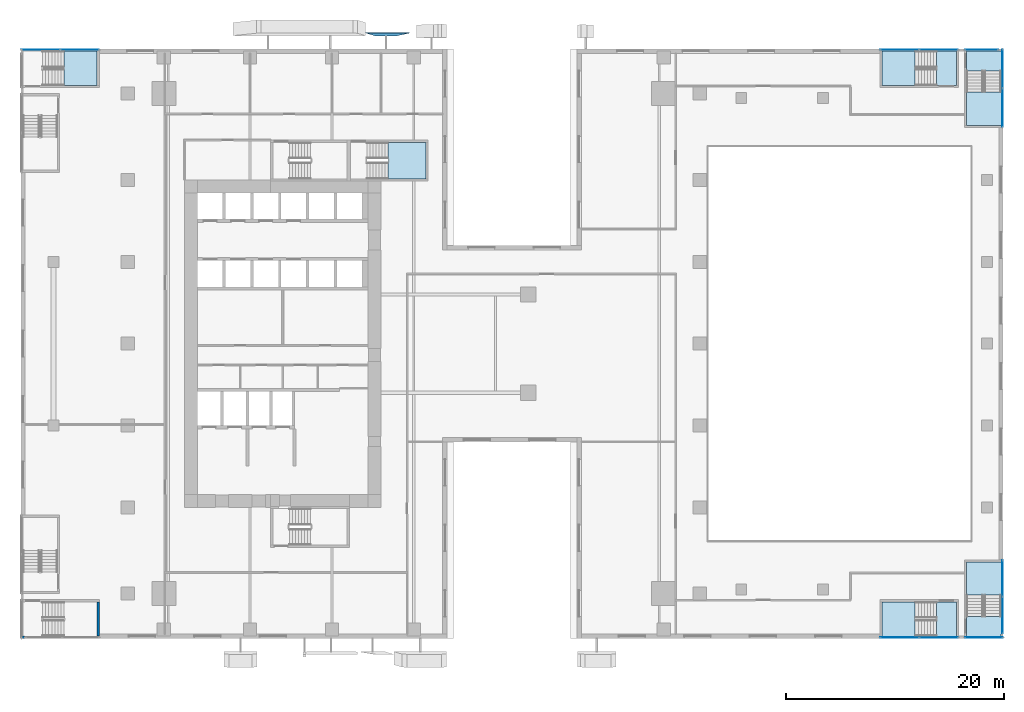
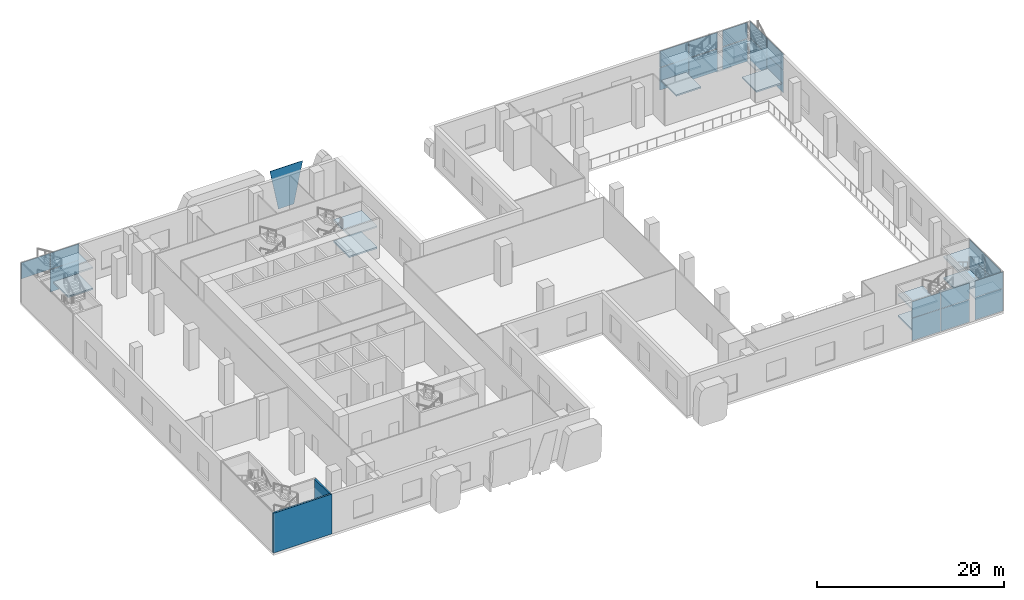
# One storey, part 9 of 23: 24 plates, 16 slabs, 2 walls, 13 elements without a shape of their own.
"""IFC4 building model written with IfcOpenShell, lengths in metres."""

from ifc_helpers import new_model, si_unit, direction, frame, frame_2d, origin, origin_2d, place, context, subcontext, project, spatial, polyline, rectangle, outline, extrude, source, transform, mapped, material, layer, layer_set, type_object, element, aggregate, save


model = new_model("IFC4")

# Units and contexts
model_context = context("Model", 3, precision=1e-05, world=origin(), true_north=direction((0.0, 1.0)))
body_context = subcontext(model_context, "Body", "Model", "MODEL_VIEW")
ifc_project = project(units=[si_unit("LENGTHUNIT", "METRE"), si_unit("AREAUNIT", "SQUARE_METRE"), si_unit("VOLUMEUNIT", "CUBIC_METRE"), si_unit("PLANEANGLEUNIT", "RADIAN"), si_unit("MASSUNIT", "GRAM", prefix="KILO")], contexts=[model_context])

# Site, building, storey
site_placement = place(None, origin())
site = spatial("IfcSite", under=ifc_project, at=site_placement, CompositionType="ELEMENT")
building_placement = place(site_placement, origin())
building = spatial("IfcBuilding", under=site, at=building_placement, Name="Khomas Fold Tower", CompositionType="ELEMENT")
storey_placement = place(building_placement, frame((0.0, 0.0, 13.0)))
storey = spatial("IfcBuildingStorey", under=building, at=storey_placement, Name="L02", CompositionType="ELEMENT", Elevation=13.0)

# Plate
ifc_material_1 = material(Name="Clear laminated glass", Category="glass")
ifc_layer_1 = layer(ifc_material_1, 0.0400390625)
ifc_layer_set_1 = layer_set([ifc_layer_1], Name="Clear laminated glass")
plate_type_1 = type_object("IfcPlateType", Name="SK-Clear laminated glass leaf", PredefinedType="SHEET", material=ifc_layer_set_1)
plate_1_placement = place(storey_placement, frame((22.602294921875, 55.452880859375, 5.050048828125), z_axis=(0.0, -0.998629673312, 0.052333312346), x_axis=(1.0, 0.0, 0.0)))
element("IfcPlate", 1, at=plate_1_placement, inside=storey, type_object=plate_type_1, Name="OUTER SKIN glass L02 NG102-1", PredefinedType="SHEET", context=body_context, shape_type="SweptSolid", body=[
    extrude(outline(polyline([(0.0, 0.0), (4.030517578125, 0.0), (2.7978515625, -5.056978540780835), (0.892578125, -5.056978540780835), (0.0, 0.0)])), origin(), (0.0, 0.0, -1.0), 0.0400390625),
])

# Curtain wall, plates
ifc_material_2 = material(Name="Aluminium framed double glazing", Category="aluminium")
curtain_wall_type = type_object("IfcCurtainWallType", Name="Shopfront glazing PD-CW", PredefinedType="NOTDEFINED", material=ifc_material_2)
curtain_wall_1_placement = place(storey_placement, origin())
curtain_wall_1 = element("IfcCurtainWall", 2, at=curtain_wall_1_placement, inside=storey, type_object=curtain_wall_type, Name="Podium stair-tower glazing", PredefinedType="NOTDEFINED")
ifc_material_3 = material(Name="Double glazed unit")
ifc_layer_2 = layer(ifc_material_3, 0.031982421875)
ifc_layer_set_2 = layer_set([ifc_layer_2], Name="Double glazed unit")
plate_type_2 = type_object("IfcPlateType", Name="Shopfront glazing panel PD-CW-P", PredefinedType="CURTAIN_PANEL", material=ifc_layer_set_2)
shared_shape_1 = source(origin(), body_context, "Body", "SweptSolid", [
    extrude(rectangle(XDim=3.0400390625, YDim=0.031982421875, at=origin_2d()), origin(), (0.0, 0.0, 1.0), 2.909912109375),
])
plate_2_placement = place(storey_placement, frame((79.02001953125, 53.919921875, 0.06005859375), z_axis=(0.0, 0.0, 1.0), x_axis=(-1.0, 0.0, 0.0)))
plate_2 = element("IfcPlate", 3, at=plate_2_placement, type_object=plate_type_2, Name="PD-CW panel 1.1", PredefinedType="CURTAIN_PANEL", context=body_context, shape_type="MappedRepresentation", body=[
    mapped(shared_shape_1, transform((0.0, 0.0, 0.0))),
])
shared_shape_2 = source(origin(), body_context, "Body", "SweptSolid", [
    extrude(rectangle(XDim=3.0400390625, YDim=0.031982421875, at=origin_2d()), origin(), (0.0, 0.0, 1.0), 2.110107421875),
])
plate_3_placement = place(storey_placement, frame((79.02001953125, 53.919921875, 3.02978515625), z_axis=(0.0, 0.0, 1.0), x_axis=(-1.0, 0.0, 0.0)))
plate_3 = element("IfcPlate", 4, at=plate_3_placement, type_object=plate_type_2, Name="PD-CW panel 1.2", PredefinedType="CURTAIN_PANEL", context=body_context, shape_type="MappedRepresentation", body=[
    mapped(shared_shape_2, transform((0.0, 0.0, 0.0))),
])
aggregate(curtain_wall_1, [plate_2, plate_3])

curtain_wall_2_placement = place(storey_placement, origin())
curtain_wall_2 = element("IfcCurtainWall", 5, at=curtain_wall_2_placement, inside=storey, type_object=curtain_wall_type, Name="Podium stair-tower glazing", PredefinedType="NOTDEFINED")
shared_shape_3 = source(origin(), body_context, "Body", "SweptSolid", [
    extrude(rectangle(XDim=3.52001953125, YDim=0.031982421875, at=origin_2d()), origin(), (0.0, 0.0, 1.0), 2.909912109375),
])
plate_4_placement = place(storey_placement, frame((71.510009765625, 0.080078125, 0.06005859375), z_axis=(0.0, 0.0, 1.0), x_axis=(1.0, 0.0, 0.0)))
plate_4 = element("IfcPlate", 6, at=plate_4_placement, type_object=plate_type_2, Name="PD-CW panel 1.1", PredefinedType="CURTAIN_PANEL", context=body_context, shape_type="MappedRepresentation", body=[
    mapped(shared_shape_3, transform((0.0, 0.0, 0.0))),
])
plate_5_placement = place(storey_placement, frame((75.090087890625, 0.080078125, 0.06005859375), z_axis=(0.0, 0.0, 1.0), x_axis=(1.0, 0.0, 0.0)))
plate_5 = element("IfcPlate", 7, at=plate_5_placement, type_object=plate_type_2, Name="PD-CW panel 2.1", PredefinedType="CURTAIN_PANEL", context=body_context, shape_type="MappedRepresentation", body=[
    mapped(shared_shape_3, transform((0.0, 0.0, 0.0))),
])

curtain_wall_3_placement = place(storey_placement, origin())
curtain_wall_3 = element("IfcCurtainWall", 8, at=curtain_wall_3_placement, inside=storey, type_object=curtain_wall_type, Name="Podium stair-tower glazing", PredefinedType="NOTDEFINED")
plate_6_placement = place(storey_placement, frame((75.090087890625, 53.919921875, 0.06005859375), z_axis=(0.0, 0.0, 1.0), x_axis=(-1.0, 0.0, 0.0)))
plate_6 = element("IfcPlate", 9, at=plate_6_placement, type_object=plate_type_2, Name="PD-CW panel 1.1", PredefinedType="CURTAIN_PANEL", context=body_context, shape_type="MappedRepresentation", body=[
    mapped(shared_shape_3, transform((0.0, 0.0, 0.0))),
])
plate_7_placement = place(storey_placement, frame((71.510009765625, 53.919921875, 0.06005859375), z_axis=(0.0, 0.0, 1.0), x_axis=(-1.0, 0.0, 0.0)))
plate_7 = element("IfcPlate", 10, at=plate_7_placement, type_object=plate_type_2, Name="PD-CW panel 2.1", PredefinedType="CURTAIN_PANEL", context=body_context, shape_type="MappedRepresentation", body=[
    mapped(shared_shape_3, transform((0.0, 0.0, 0.0))),
])

# Plate
shared_shape_4 = source(origin(), body_context, "Body", "SweptSolid", [
    extrude(rectangle(XDim=3.52001953125, YDim=0.031982421875, at=origin_2d()), origin(), (0.0, 0.0, 1.0), 2.110107421875),
])
plate_8_placement = place(storey_placement, frame((71.510009765625, 0.080078125, 3.02978515625), z_axis=(0.0, 0.0, 1.0), x_axis=(1.0, 0.0, 0.0)))
plate_8 = element("IfcPlate", 11, at=plate_8_placement, type_object=plate_type_2, Name="PD-CW panel 1.2", PredefinedType="CURTAIN_PANEL", context=body_context, shape_type="MappedRepresentation", body=[
    mapped(shared_shape_4, transform((0.0, 0.0, 0.0))),
])

plate_9_placement = place(storey_placement, frame((75.090087890625, 0.080078125, 3.02978515625), z_axis=(0.0, 0.0, 1.0), x_axis=(1.0, 0.0, 0.0)))
plate_9 = element("IfcPlate", 12, at=plate_9_placement, type_object=plate_type_2, Name="PD-CW panel 2.2", PredefinedType="CURTAIN_PANEL", context=body_context, shape_type="MappedRepresentation", body=[
    mapped(shared_shape_4, transform((0.0, 0.0, 0.0))),
])

aggregate(curtain_wall_2, [plate_4, plate_8, plate_5, plate_9])

plate_10_placement = place(storey_placement, frame((75.090087890625, 53.919921875, 3.02978515625), z_axis=(0.0, 0.0, 1.0), x_axis=(-1.0, 0.0, 0.0)))
plate_10 = element("IfcPlate", 13, at=plate_10_placement, type_object=plate_type_2, Name="PD-CW panel 1.2", PredefinedType="CURTAIN_PANEL", context=body_context, shape_type="MappedRepresentation", body=[
    mapped(shared_shape_4, transform((0.0, 0.0, 0.0))),
])

plate_11_placement = place(storey_placement, frame((71.510009765625, 53.919921875, 3.02978515625), z_axis=(0.0, 0.0, 1.0), x_axis=(-1.0, 0.0, 0.0)))
plate_11 = element("IfcPlate", 14, at=plate_11_placement, type_object=plate_type_2, Name="PD-CW panel 2.2", PredefinedType="CURTAIN_PANEL", context=body_context, shape_type="MappedRepresentation", body=[
    mapped(shared_shape_4, transform((0.0, 0.0, 0.0))),
])

aggregate(curtain_wall_3, [plate_6, plate_10, plate_7, plate_11])

# Curtain wall, plates
curtain_wall_4_placement = place(storey_placement, origin())
curtain_wall_4 = element("IfcCurtainWall", 15, at=curtain_wall_4_placement, inside=storey, type_object=curtain_wall_type, Name="Podium stair-tower glazing", PredefinedType="NOTDEFINED")
shared_shape_5 = source(origin(), body_context, "Body", "SweptSolid", [
    extrude(rectangle(XDim=3.43994140625, YDim=0.031982421875, at=origin_2d()), origin(), (0.0, 0.0, 1.0), 2.909912109375),
])
plate_12_placement = place(storey_placement, frame((79.219970703125, 0.080078125, 0.06005859375), z_axis=(0.0, 0.0, 1.0), x_axis=(1.0, 0.0, 0.0)))
plate_12 = element("IfcPlate", 16, at=plate_12_placement, type_object=plate_type_2, Name="PD-CW panel 1.1", PredefinedType="CURTAIN_PANEL", context=body_context, shape_type="MappedRepresentation", body=[
    mapped(shared_shape_5, transform((0.0, 0.0, 0.0))),
])
shared_shape_6 = source(origin(), body_context, "Body", "SweptSolid", [
    extrude(rectangle(XDim=3.43994140625, YDim=0.031982421875, at=origin_2d()), origin(), (0.0, 0.0, 1.0), 2.110107421875),
])
plate_13_placement = place(storey_placement, frame((79.219970703125, 0.080078125, 3.02978515625), z_axis=(0.0, 0.0, 1.0), x_axis=(1.0, 0.0, 0.0)))
plate_13 = element("IfcPlate", 17, at=plate_13_placement, type_object=plate_type_2, Name="PD-CW panel 1.2", PredefinedType="CURTAIN_PANEL", context=body_context, shape_type="MappedRepresentation", body=[
    mapped(shared_shape_6, transform((0.0, 0.0, 0.0))),
])
aggregate(curtain_wall_4, [plate_12, plate_13])

curtain_wall_5_placement = place(storey_placement, origin())
curtain_wall_5 = element("IfcCurtainWall", 18, at=curtain_wall_5_placement, inside=storey, type_object=curtain_wall_type, Name="Podium stair-tower glazing", PredefinedType="NOTDEFINED")
shared_shape_7 = source(origin(), body_context, "Body", "SweptSolid", [
    extrude(rectangle(XDim=3.31494140625, YDim=0.031982421875, at=origin_2d()), origin(), (0.0, 0.0, 1.0), 2.909912109375),
])
plate_14_placement = place(storey_placement, frame((80.919921875, 2.117431640625, 0.06005859375), z_axis=(0.0, 0.0, 1.0), x_axis=(0.0, 1.0, 0.0)))
plate_14 = element("IfcPlate", 19, at=plate_14_placement, type_object=plate_type_2, Name="PD-CW panel 1.1", PredefinedType="CURTAIN_PANEL", context=body_context, shape_type="MappedRepresentation", body=[
    mapped(shared_shape_7, transform((0.0, 0.0, 0.0))),
])
plate_15_placement = place(storey_placement, frame((80.919921875, 5.492431640625, 0.06005859375), z_axis=(0.0, 0.0, 1.0), x_axis=(0.0, 1.0, 0.0)))
plate_15 = element("IfcPlate", 20, at=plate_15_placement, type_object=plate_type_2, Name="PD-CW panel 2.1", PredefinedType="CURTAIN_PANEL", context=body_context, shape_type="MappedRepresentation", body=[
    mapped(shared_shape_7, transform((0.0, 0.0, 0.0))),
])
shared_shape_8 = source(origin(), body_context, "Body", "SweptSolid", [
    extrude(rectangle(XDim=3.31494140625, YDim=0.031982421875, at=origin_2d()), origin(), (0.0, 0.0, 1.0), 2.110107421875),
])
plate_16_placement = place(storey_placement, frame((80.919921875, 2.117431640625, 3.02978515625), z_axis=(0.0, 0.0, 1.0), x_axis=(0.0, 1.0, 0.0)))
plate_16 = element("IfcPlate", 21, at=plate_16_placement, type_object=plate_type_2, Name="PD-CW panel 1.2", PredefinedType="CURTAIN_PANEL", context=body_context, shape_type="MappedRepresentation", body=[
    mapped(shared_shape_8, transform((0.0, 0.0, 0.0))),
])
plate_17_placement = place(storey_placement, frame((80.919921875, 5.492431640625, 3.02978515625), z_axis=(0.0, 0.0, 1.0), x_axis=(0.0, 1.0, 0.0)))
plate_17 = element("IfcPlate", 22, at=plate_17_placement, type_object=plate_type_2, Name="PD-CW panel 2.2", PredefinedType="CURTAIN_PANEL", context=body_context, shape_type="MappedRepresentation", body=[
    mapped(shared_shape_8, transform((0.0, 0.0, 0.0))),
])
aggregate(curtain_wall_5, [plate_14, plate_16, plate_15, plate_17])

curtain_wall_6_placement = place(storey_placement, origin())
curtain_wall_6 = element("IfcCurtainWall", 23, at=curtain_wall_6_placement, inside=storey, type_object=curtain_wall_type, Name="Podium stair-tower glazing", PredefinedType="NOTDEFINED")
shared_shape_9 = source(origin(), body_context, "Body", "SweptSolid", [
    extrude(rectangle(XDim=3.514892578125, YDim=0.031982421875, at=origin_2d()), origin(), (0.0, 0.0, 1.0), 2.909912109375),
])
plate_18_placement = place(storey_placement, frame((80.919921875, 48.607421875, 0.06005859375), z_axis=(0.0, 0.0, 1.0), x_axis=(0.0, 1.0, 0.0)))
plate_18 = element("IfcPlate", 24, at=plate_18_placement, type_object=plate_type_2, Name="PD-CW panel 1.1", PredefinedType="CURTAIN_PANEL", context=body_context, shape_type="MappedRepresentation", body=[
    mapped(shared_shape_9, transform((0.0, 0.0, 0.0))),
])
plate_19_placement = place(storey_placement, frame((80.919921875, 52.1826171875, 0.06005859375), z_axis=(0.0, 0.0, 1.0), x_axis=(0.0, 1.0, 0.0)))
plate_19 = element("IfcPlate", 25, at=plate_19_placement, type_object=plate_type_2, Name="PD-CW panel 2.1", PredefinedType="CURTAIN_PANEL", context=body_context, shape_type="MappedRepresentation", body=[
    mapped(shared_shape_9, transform((0.0, 0.0, 0.0))),
])

# Curtain wall, plate
curtain_wall_7_placement = place(storey_placement, origin())
curtain_wall_7 = element("IfcCurtainWall", 26, at=curtain_wall_7_placement, inside=storey, type_object=curtain_wall_type, Name="Podium stair-tower glazing", PredefinedType="NOTDEFINED")
plate_20_placement = place(storey_placement, frame((-3.607421875, 53.919921875, 0.06005859375), z_axis=(0.0, 0.0, 1.0), x_axis=(-1.0, 0.0, 0.0)))
plate_20 = element("IfcPlate", 27, at=plate_20_placement, type_object=plate_type_2, Name="PD-CW panel 1.1", PredefinedType="CURTAIN_PANEL", context=body_context, shape_type="MappedRepresentation", body=[
    mapped(shared_shape_9, transform((0.0, 0.0, 0.0))),
])

# Plate
shared_shape_10 = source(origin(), body_context, "Body", "SweptSolid", [
    extrude(rectangle(XDim=3.514892578125, YDim=0.031982421875, at=origin_2d()), origin(), (0.0, 0.0, 1.0), 2.110107421875),
])
plate_21_placement = place(storey_placement, frame((80.919921875, 48.607421875, 3.02978515625), z_axis=(0.0, 0.0, 1.0), x_axis=(0.0, 1.0, 0.0)))
plate_21 = element("IfcPlate", 28, at=plate_21_placement, type_object=plate_type_2, Name="PD-CW panel 1.2", PredefinedType="CURTAIN_PANEL", context=body_context, shape_type="MappedRepresentation", body=[
    mapped(shared_shape_10, transform((0.0, 0.0, 0.0))),
])

plate_22_placement = place(storey_placement, frame((80.919921875, 52.1826171875, 3.02978515625), z_axis=(0.0, 0.0, 1.0), x_axis=(0.0, 1.0, 0.0)))
plate_22 = element("IfcPlate", 29, at=plate_22_placement, type_object=plate_type_2, Name="PD-CW panel 2.2", PredefinedType="CURTAIN_PANEL", context=body_context, shape_type="MappedRepresentation", body=[
    mapped(shared_shape_10, transform((0.0, 0.0, 0.0))),
])

aggregate(curtain_wall_6, [plate_18, plate_21, plate_19, plate_22])

plate_23_placement = place(storey_placement, frame((-3.607421875, 53.919921875, 3.02978515625), z_axis=(0.0, 0.0, 1.0), x_axis=(-1.0, 0.0, 0.0)))
plate_23 = element("IfcPlate", 30, at=plate_23_placement, type_object=plate_type_2, Name="PD-CW panel 1.2", PredefinedType="CURTAIN_PANEL", context=body_context, shape_type="MappedRepresentation", body=[
    mapped(shared_shape_10, transform((0.0, 0.0, 0.0))),
])

plate_24_placement = place(storey_placement, frame((-7.1826171875, 53.919921875, 3.02978515625), z_axis=(0.0, 0.0, 1.0), x_axis=(-1.0, 0.0, 0.0)))
plate_24 = element("IfcPlate", 31, at=plate_24_placement, type_object=plate_type_2, Name="PD-CW panel 2.2", PredefinedType="CURTAIN_PANEL", context=body_context, shape_type="MappedRepresentation", body=[
    mapped(shared_shape_10, transform((0.0, 0.0, 0.0))),
])

aggregate(curtain_wall_7, [plate_20, plate_23, plate_24])

# Stair, slabs
ifc_material_4 = material(Name="Concrete C40/50", Category="concrete")
stair_type_1 = type_object("IfcStairType", Name="Stair ST3", PredefinedType="HALF_TURN_STAIR", material=ifc_material_4)
stair_1_placement = place(storey_placement, origin())
stair_1 = element("IfcStair", 32, at=stair_1_placement, inside=storey, type_object=stair_type_1, Name="L02 ST3", PredefinedType="HALF_TURN_STAIR")
ifc_material_5 = material(Name="Concrete C40/50", Category="concrete")
ifc_layer_3 = layer(ifc_material_5, 0.199951171875)
ifc_layer_set_3 = layer_set([ifc_layer_3], Name="Concrete C40/50")
slab_type = type_object("IfcSlabType", Name="Stair landing 200", PredefinedType="LANDING", material=ifc_layer_set_3)
shared_shape_11 = source(origin(), body_context, "Body", "SweptSolid", [
    extrude(outline(polyline([(24.659912109375, 42.10009765625), (28.10009765625, 42.10009765625), (28.10009765625, 45.449951171875), (24.659912109375, 45.449951171875), (24.659912109375, 42.10009765625)])), origin(), (0.0, 0.0, 1.0), 0.199951171875),
])
slab_1_placement = place(storey_placement, frame((0.0, 0.0, 1.175048828125)))
slab_1 = element("IfcSlab", 33, at=slab_1_placement, type_object=slab_type, Name="ST3 landing 1", PredefinedType="LANDING", context=body_context, shape_type="MappedRepresentation", body=[
    mapped(shared_shape_11, transform((0.0, 0.0, 0.0))),
])
slab_2_placement = place(storey_placement, frame((0.0, 0.0, 3.925048828125)))
slab_2 = element("IfcSlab", 34, at=slab_2_placement, type_object=slab_type, Name="ST3 landing 3", PredefinedType="LANDING", context=body_context, shape_type="MappedRepresentation", body=[
    mapped(shared_shape_11, transform((0.0, 0.0, 0.0))),
])
aggregate(stair_1, [slab_1, slab_2])

ifc_material_6 = material(Name="Concrete C40/50", Category="concrete")
stair_type_2 = type_object("IfcStairType", Name="Stair PS3", PredefinedType="HALF_TURN_STAIR", material=ifc_material_6)
stair_2_placement = place(storey_placement, origin())
stair_2 = element("IfcStair", 35, at=stair_2_placement, inside=storey, type_object=stair_type_2, Name="L02 PS3", PredefinedType="HALF_TURN_STAIR")
shared_shape_12 = source(origin(), body_context, "Body", "SweptSolid", [
    extrude(outline(polyline([(76.699951171875, 3.35009765625), (74.89990234375, 3.35009765625), (74.89990234375, 0.199951171875), (76.699951171875, 0.199951171875), (76.699951171875, 3.35009765625)])), origin(), (0.0, 0.0, 1.0), 0.199951171875),
])
slab_3_placement = place(storey_placement, frame((0.0, 0.0, 2.550048828125)))
slab_3 = element("IfcSlab", 36, at=slab_3_placement, type_object=slab_type, Name="PS3 landing 2", PredefinedType="LANDING", context=body_context, shape_type="MappedRepresentation", body=[
    mapped(shared_shape_12, transform((0.0, 0.0, 0.0))),
])
shared_shape_13 = source(origin(), body_context, "Body", "SweptSolid", [
    extrude(outline(polyline([(72.93994140625, 3.35009765625), (69.89990234375, 3.35009765625), (69.89990234375, 0.199951171875), (72.93994140625, 0.199951171875), (72.93994140625, 3.35009765625)])), origin(), (0.0, 0.0, 1.0), 0.199951171875),
])
slab_4_placement = place(storey_placement, frame((0.0, 0.0, 1.175048828125)))
slab_4 = element("IfcSlab", 37, at=slab_4_placement, type_object=slab_type, Name="PS3 landing 1", PredefinedType="LANDING", context=body_context, shape_type="MappedRepresentation", body=[
    mapped(shared_shape_13, transform((0.0, 0.0, 0.0))),
])
slab_5_placement = place(storey_placement, frame((0.0, 0.0, 3.925048828125)))
slab_5 = element("IfcSlab", 38, at=slab_5_placement, type_object=slab_type, Name="PS3 landing 3", PredefinedType="LANDING", context=body_context, shape_type="MappedRepresentation", body=[
    mapped(shared_shape_13, transform((0.0, 0.0, 0.0))),
])
aggregate(stair_2, [slab_4, slab_3, slab_5])

ifc_material_7 = material(Name="Concrete C40/50", Category="concrete")
stair_type_3 = type_object("IfcStairType", Name="Stair PS4", PredefinedType="HALF_TURN_STAIR", material=ifc_material_7)
stair_3_placement = place(storey_placement, origin())
stair_3 = element("IfcStair", 39, at=stair_3_placement, inside=storey, type_object=stair_type_3, Name="L02 PS4", PredefinedType="HALF_TURN_STAIR")
shared_shape_14 = source(origin(), body_context, "Body", "SweptSolid", [
    extrude(outline(polyline([(80.800048828125, 0.199951171875), (80.800048828125, 2.0), (77.64990234375, 2.0), (77.64990234375, 0.199951171875), (80.800048828125, 0.199951171875)])), origin(), (0.0, 0.0, 1.0), 0.199951171875),
])
slab_6_placement = place(storey_placement, frame((0.0, 0.0, 2.550048828125)))
slab_6 = element("IfcSlab", 40, at=slab_6_placement, type_object=slab_type, Name="PS4 landing 2", PredefinedType="LANDING", context=body_context, shape_type="MappedRepresentation", body=[
    mapped(shared_shape_14, transform((0.0, 0.0, 0.0))),
])
shared_shape_15 = source(origin(), body_context, "Body", "SweptSolid", [
    extrude(outline(polyline([(80.800048828125, 3.9599609375), (80.800048828125, 7.0), (77.64990234375, 7.0), (77.64990234375, 3.9599609375), (80.800048828125, 3.9599609375)])), origin(), (0.0, 0.0, 1.0), 0.199951171875),
])
slab_7_placement = place(storey_placement, frame((0.0, 0.0, 1.175048828125)))
slab_7 = element("IfcSlab", 41, at=slab_7_placement, type_object=slab_type, Name="PS4 landing 1", PredefinedType="LANDING", context=body_context, shape_type="MappedRepresentation", body=[
    mapped(shared_shape_15, transform((0.0, 0.0, 0.0))),
])
slab_8_placement = place(storey_placement, frame((0.0, 0.0, 3.925048828125)))
slab_8 = element("IfcSlab", 42, at=slab_8_placement, type_object=slab_type, Name="PS4 landing 3", PredefinedType="LANDING", context=body_context, shape_type="MappedRepresentation", body=[
    mapped(shared_shape_15, transform((0.0, 0.0, 0.0))),
])
aggregate(stair_3, [slab_7, slab_6, slab_8])

ifc_material_8 = material(Name="Concrete C40/50", Category="concrete")
stair_type_4 = type_object("IfcStairType", Name="Stair PS5", PredefinedType="HALF_TURN_STAIR", material=ifc_material_8)
stair_4_placement = place(storey_placement, origin())
stair_4 = element("IfcStair", 43, at=stair_4_placement, inside=storey, type_object=stair_type_4, Name="L02 PS5", PredefinedType="HALF_TURN_STAIR")
shared_shape_16 = source(origin(), body_context, "Body", "SweptSolid", [
    extrude(outline(polyline([(76.699951171875, 53.800048828125), (74.89990234375, 53.800048828125), (74.89990234375, 50.64990234375), (76.699951171875, 50.64990234375), (76.699951171875, 53.800048828125)])), origin(), (0.0, 0.0, 1.0), 0.199951171875),
])
slab_9_placement = place(storey_placement, frame((0.0, 0.0, 2.550048828125)))
slab_9 = element("IfcSlab", 44, at=slab_9_placement, type_object=slab_type, Name="PS5 landing 2", PredefinedType="LANDING", context=body_context, shape_type="MappedRepresentation", body=[
    mapped(shared_shape_16, transform((0.0, 0.0, 0.0))),
])
shared_shape_17 = source(origin(), body_context, "Body", "SweptSolid", [
    extrude(outline(polyline([(72.93994140625, 53.800048828125), (69.89990234375, 53.800048828125), (69.89990234375, 50.64990234375), (72.93994140625, 50.64990234375), (72.93994140625, 53.800048828125)])), origin(), (0.0, 0.0, 1.0), 0.199951171875),
])
slab_10_placement = place(storey_placement, frame((0.0, 0.0, 1.175048828125)))
slab_10 = element("IfcSlab", 45, at=slab_10_placement, type_object=slab_type, Name="PS5 landing 1", PredefinedType="LANDING", context=body_context, shape_type="MappedRepresentation", body=[
    mapped(shared_shape_17, transform((0.0, 0.0, 0.0))),
])
slab_11_placement = place(storey_placement, frame((0.0, 0.0, 3.925048828125)))
slab_11 = element("IfcSlab", 46, at=slab_11_placement, type_object=slab_type, Name="PS5 landing 3", PredefinedType="LANDING", context=body_context, shape_type="MappedRepresentation", body=[
    mapped(shared_shape_17, transform((0.0, 0.0, 0.0))),
])
aggregate(stair_4, [slab_10, slab_9, slab_11])

ifc_material_9 = material(Name="Concrete C40/50", Category="concrete")
stair_type_5 = type_object("IfcStairType", Name="Stair PS6", PredefinedType="HALF_TURN_STAIR", material=ifc_material_9)
stair_5_placement = place(storey_placement, origin())
stair_5 = element("IfcStair", 47, at=stair_5_placement, inside=storey, type_object=stair_type_5, Name="L02 PS6", PredefinedType="HALF_TURN_STAIR")
shared_shape_18 = source(origin(), body_context, "Body", "SweptSolid", [
    extrude(outline(polyline([(77.64990234375, 53.800048828125), (77.64990234375, 52.0), (80.800048828125, 52.0), (80.800048828125, 53.800048828125), (77.64990234375, 53.800048828125)])), origin(), (0.0, 0.0, 1.0), 0.199951171875),
])
slab_12_placement = place(storey_placement, frame((0.0, 0.0, 2.550048828125)))
slab_12 = element("IfcSlab", 48, at=slab_12_placement, type_object=slab_type, Name="PS6 landing 2", PredefinedType="LANDING", context=body_context, shape_type="MappedRepresentation", body=[
    mapped(shared_shape_18, transform((0.0, 0.0, 0.0))),
])
shared_shape_19 = source(origin(), body_context, "Body", "SweptSolid", [
    extrude(outline(polyline([(77.64990234375, 50.0400390625), (77.64990234375, 47.0), (80.800048828125, 47.0), (80.800048828125, 50.0400390625), (77.64990234375, 50.0400390625)])), origin(), (0.0, 0.0, 1.0), 0.199951171875),
])
slab_13_placement = place(storey_placement, frame((0.0, 0.0, 1.175048828125)))
slab_13 = element("IfcSlab", 49, at=slab_13_placement, type_object=slab_type, Name="PS6 landing 1", PredefinedType="LANDING", context=body_context, shape_type="MappedRepresentation", body=[
    mapped(shared_shape_19, transform((0.0, 0.0, 0.0))),
])
slab_14_placement = place(storey_placement, frame((0.0, 0.0, 3.925048828125)))
slab_14 = element("IfcSlab", 50, at=slab_14_placement, type_object=slab_type, Name="PS6 landing 3", PredefinedType="LANDING", context=body_context, shape_type="MappedRepresentation", body=[
    mapped(shared_shape_19, transform((0.0, 0.0, 0.0))),
])
aggregate(stair_5, [slab_13, slab_12, slab_14])

ifc_material_10 = material(Name="Concrete C40/50", Category="concrete")
stair_type_6 = type_object("IfcStairType", Name="Stair PS7", PredefinedType="HALF_TURN_STAIR", material=ifc_material_10)
stair_6_placement = place(storey_placement, origin())
stair_6 = element("IfcStair", 51, at=stair_6_placement, inside=storey, type_object=stair_type_6, Name="L02 PS7", PredefinedType="HALF_TURN_STAIR")
shared_shape_20 = source(origin(), body_context, "Body", "SweptSolid", [
    extrude(outline(polyline([(-5.0400390625, 50.64990234375), (-2.0, 50.64990234375), (-2.0, 53.800048828125), (-5.0400390625, 53.800048828125), (-5.0400390625, 50.64990234375)])), origin(), (0.0, 0.0, 1.0), 0.199951171875),
])
slab_15_placement = place(storey_placement, frame((0.0, 0.0, 1.175048828125)))
slab_15 = element("IfcSlab", 52, at=slab_15_placement, type_object=slab_type, Name="PS7 landing 1", PredefinedType="LANDING", context=body_context, shape_type="MappedRepresentation", body=[
    mapped(shared_shape_20, transform((0.0, 0.0, 0.0))),
])
slab_16_placement = place(storey_placement, frame((0.0, 0.0, 3.925048828125)))
slab_16 = element("IfcSlab", 53, at=slab_16_placement, type_object=slab_type, Name="PS7 landing 3", PredefinedType="LANDING", context=body_context, shape_type="MappedRepresentation", body=[
    mapped(shared_shape_20, transform((0.0, 0.0, 0.0))),
])
aggregate(stair_6, [slab_15, slab_16])

# Walls
ifc_material_11 = material(Name="Concrete C30/37", Category="concrete")
ifc_layer_4 = layer(ifc_material_11, 0.199951171875)
ifc_layer_set_4 = layer_set([ifc_layer_4], Name="Concrete C30/37")
wall_type = type_object("IfcWallType", Name="Stair wall PW5 200", PredefinedType="PARTITIONING", material=ifc_layer_set_4)
shared_shape_21 = source(origin(), body_context, "Body", "SweptSolid", [
    extrude(rectangle(XDim=7.199951171875, YDim=0.199951171875, at=frame_2d((3.60009765625, 0.0))), origin(), (0.0, 0.0, 1.0), 5.199951171875),
])
wall_1_placement = place(storey_placement, frame((-9.0, 0.10009765625, 0.0), z_axis=(0.0, 0.0, 1.0), x_axis=(1.0, 0.0, 0.0)))
element("IfcWall", 54, at=wall_1_placement, inside=storey, type_object=wall_type, Name="Stair wall", PredefinedType="PARTITIONING", context=body_context, shape_type="MappedRepresentation", body=[
    mapped(shared_shape_21, transform((0.0, 0.0, 0.0))),
])
shared_shape_22 = source(origin(), body_context, "Body", "SweptSolid", [
    extrude(rectangle(XDim=3.150146484375, YDim=0.199951171875, at=frame_2d((1.5751953125, 0.0))), origin(), (0.0, 0.0, 1.0), 5.199951171875),
])
wall_2_placement = place(storey_placement, frame((-1.89990234375, 0.199951171875, 0.0), z_axis=(0.0, 0.0, 1.0), x_axis=(0.0, 1.0, 0.0)))
element("IfcWall", 55, at=wall_2_placement, inside=storey, type_object=wall_type, Name="Stair wall", PredefinedType="PARTITIONING", context=body_context, shape_type="MappedRepresentation", body=[
    mapped(shared_shape_22, transform((0.0, 0.0, 0.0))),
])

save(model, "model.ifc")
